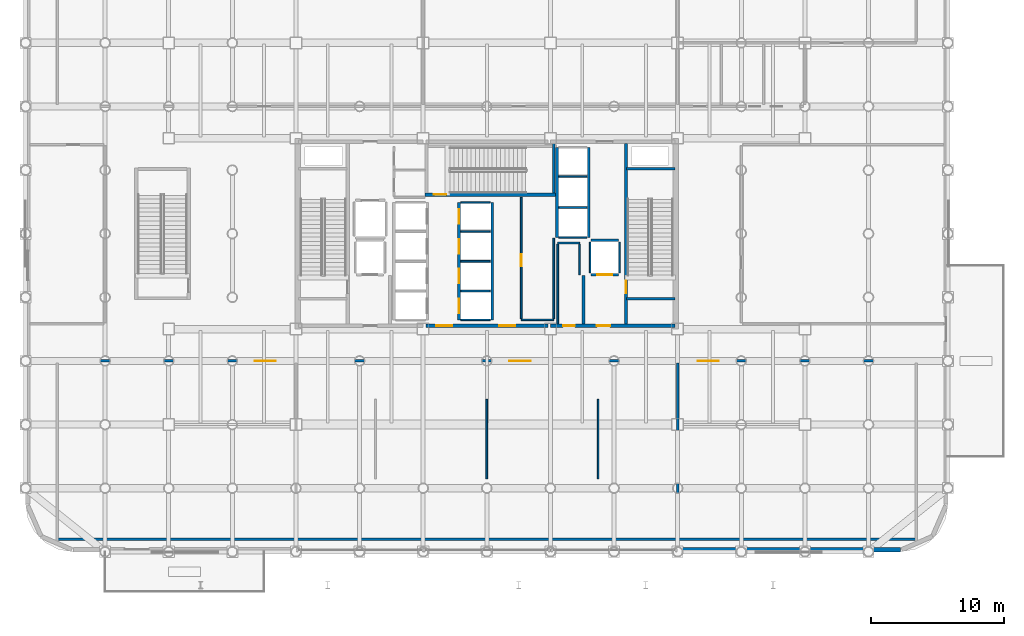
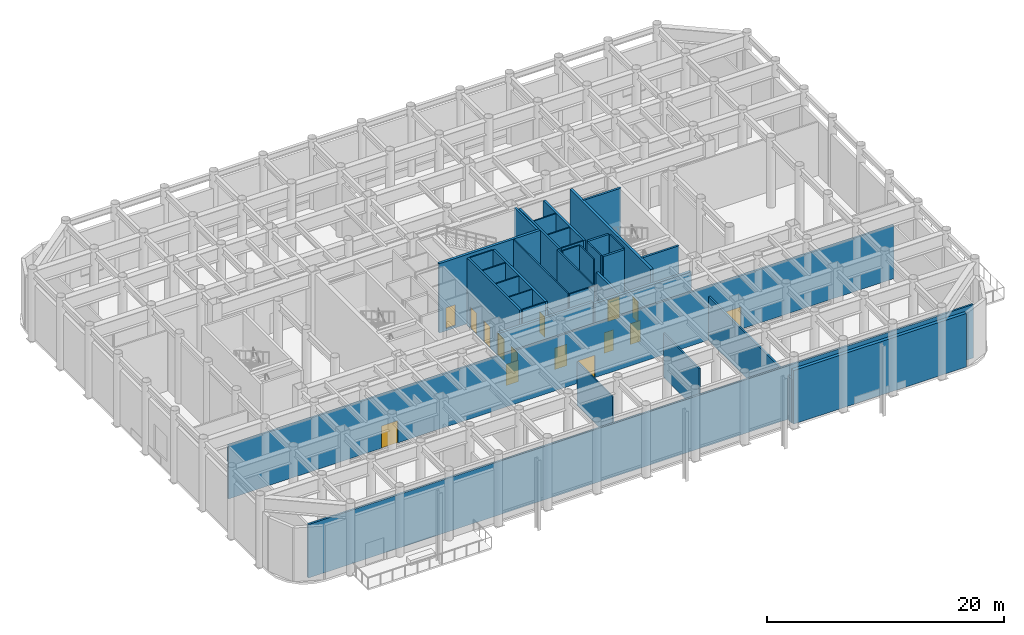
# One storey, part 15 of 23: 36 walls, 15 doors, 15 openings.
"""IFC4 building model written with IfcOpenShell, lengths in metres."""

import ifcopenshell
import ifcopenshell.guid

model = None  # the IFC model being written
_history = None  # IfcOwnerHistory: only IFC2X3 demands one
_inside = {}  # id of a spatial element -> (the spatial element, [elements in it])
_under = {}  # id of a project, library or spatial element -> (it, [spatial elements below it])
_declared = {}  # id of a project -> (the project, [libraries it declares])
_typed = {}  # id of a type object -> (the type object, [elements of that type])
_made_of = {}  # id of a material, layer set ... -> (it, [elements and type objects made of it])


def new_model(schema):
    """Start an empty IFC model of exactly this schema.

    Asked for "IFC4X3", IfcOpenShell would pick the latest addendum, in which some entities
    have other attributes; the version numbers below select the first issue.
    IFC2X3 requires an IfcOwnerHistory on every rooted entity: one is made here for all.
    """
    global model, _history
    if schema == "IFC4X3":
        model = ifcopenshell.file(schema_version=(4, 3, 0, 0))
    else:
        model = ifcopenshell.file(schema=schema)
    _inside.clear()
    _under.clear()
    _declared.clear()
    _typed.clear()
    _made_of.clear()
    _history = None
    if model.schema == "IFC2X3":
        org = make("IfcOrganization", Name="unknown")
        user = make(
            "IfcPersonAndOrganization",
            ThePerson=make("IfcPerson", FamilyName="unknown"),
            TheOrganization=org,
        )
        app = make(
            "IfcApplication",
            ApplicationDeveloper=org,
            Version="unknown",
            ApplicationFullName="unknown",
            ApplicationIdentifier="unknown",
        )
        _history = make(
            "IfcOwnerHistory",
            OwningUser=user,
            OwningApplication=app,
            ChangeAction="ADDED",
            CreationDate=0,
        )
    return model


def make(cls, **values):
    """One entity of the class cls with the attributes given. An attribute that is None is left unset."""
    return model.create_entity(
        cls, **{name: value for name, value in values.items() if value is not None}
    )


def rooted(cls, **values):
    """An entity with a GlobalId (a new one), such as an element, a storey or a relation."""
    return make(cls, GlobalId=ifcopenshell.guid.new(), OwnerHistory=_history, **values)


def si_unit(unit_type, name, prefix=None):
    """IfcSIUnit, for example si_unit("LENGTHUNIT", "METRE", prefix="MILLI")."""
    return make("IfcSIUnit", UnitType=unit_type, Prefix=prefix, Name=name)


def assignment(units):
    """IfcUnitAssignment: the units of a project."""
    return None if units is None else make("IfcUnitAssignment", Units=units)


def point(xyz):
    """IfcCartesianPoint."""
    return None if xyz is None else make("IfcCartesianPoint", Coordinates=xyz)


def direction(xyz):
    """IfcDirection."""
    return None if xyz is None else make("IfcDirection", DirectionRatios=xyz)


def frame(location, z_axis=None, x_axis=None):
    """IfcAxis2Placement3D, a coordinate frame: its origin and axes. An axis left out is left unset."""
    return make(
        "IfcAxis2Placement3D",
        Location=point(location),
        Axis=direction(z_axis),
        RefDirection=direction(x_axis),
    )


def frame_2d(location, x_axis=None):
    """IfcAxis2Placement2D, a coordinate frame in the plane: its origin and x axis."""
    return make(
        "IfcAxis2Placement2D", Location=point(location), RefDirection=direction(x_axis)
    )


def origin():
    """The frame at (0, 0, 0) with its axes left unset."""
    return frame((0.0, 0.0, 0.0))


def place(relative_to, where):
    """IfcLocalPlacement: puts the frame where relative to a parent placement (None: the world)."""
    return make(
        "IfcLocalPlacement", PlacementRelTo=relative_to, RelativePlacement=where
    )


def context(
    kind, dimensions, precision=None, world=None, true_north=None, identifier=None
):
    """IfcGeometricRepresentationContext, for example the 3D "Model" context."""
    return make(
        "IfcGeometricRepresentationContext",
        ContextIdentifier=identifier,
        ContextType=kind,
        CoordinateSpaceDimension=dimensions,
        Precision=precision,
        WorldCoordinateSystem=world,
        TrueNorth=true_north,
    )


def subcontext(parent, identifier, kind, view, scale=None):
    """IfcGeometricRepresentationSubContext, for example "Body" below "Model"."""
    return make(
        "IfcGeometricRepresentationSubContext",
        ContextIdentifier=identifier,
        ContextType=kind,
        ParentContext=parent,
        TargetScale=scale,
        TargetView=view,
    )


def project(units=None, contexts=None):
    """IfcProject with its units and contexts."""
    return rooted(
        "IfcProject",
        Name="project",
        RepresentationContexts=contexts,
        UnitsInContext=assignment(units),
    )


def spatial(cls, under=None, at=None, **own):
    """A site, building, storey or space (cls), placed at a placement, below another one or the project."""
    s = rooted(cls, ObjectPlacement=at, **own)
    if under is not None:
        _under.setdefault(under.id(), (under, []))[1].append(s)
    return s


def profile(cls, at=None, kind="AREA", **sizes):
    """A parametric profile (cls). Its sizes go by their IFC names, for example OverallWidth=200.0."""
    return make(cls, ProfileType=kind, Position=at, **sizes)


def rectangle(**sizes):
    """IfcRectangleProfileDef."""
    return profile("IfcRectangleProfileDef", **sizes)


def extrude(swept, where, along, depth):
    """IfcExtrudedAreaSolid: the profile swept, set in the frame where, extruded along a direction by depth."""
    return make(
        "IfcExtrudedAreaSolid",
        SweptArea=swept,
        Position=where,
        ExtrudedDirection=direction(along),
        Depth=depth,
    )


def shape(context_of_items, identifier, shape_type, items):
    """IfcShapeRepresentation: the items that make up one representation, for example the "Body"."""
    return make(
        "IfcShapeRepresentation",
        ContextOfItems=context_of_items,
        RepresentationIdentifier=identifier,
        RepresentationType=shape_type,
        Items=items,
    )


def material(Name=None, Category=None):
    """IfcMaterial."""
    return make("IfcMaterial", Name=Name, Category=Category)


def layer(
    of_material, thickness, ventilated=None, Name=None, Category=None, Priority=None
):
    """IfcMaterialLayer: one layer of a wall or slab, of a material (None: an air gap)."""
    return make(
        "IfcMaterialLayer",
        Material=of_material,
        LayerThickness=thickness,
        IsVentilated=ventilated,
        Name=Name,
        Category=Category,
        Priority=Priority,
    )


def layer_set(layers, Name=None):
    """IfcMaterialLayerSet."""
    return make("IfcMaterialLayerSet", MaterialLayers=layers, LayerSetName=Name)


def made_of(thing, what):
    """Note that an element or type object is made of a material, layer set ...; save() writes the relation."""
    if what is not None:
        _made_of.setdefault(what.id(), (what, []))[1].append(thing)
    return thing


def type_object(cls, material=None, **own):
    """A type object (cls), such as IfcWallType, which elements share."""
    return made_of(rooted(cls, **own), material)


def element(
    cls,
    number,
    at=None,
    inside=None,
    cuts=None,
    type_object=None,
    material=None,
    context=None,
    identifier="Body",
    shape_type=None,
    held_by="IfcProductDefinitionShape",
    body=None,
    shapes=None,
    **own,
):
    """One element of the class cls, such as IfcWall. Its Tag is "e" and its number.

    at: its placement. inside: the storey or other place that contains it. cuts: it is an
    opening in that element (IfcRelVoidsElement). A single representation is given by context,
    identifier, shape_type and body (its items); several are given by shapes. held_by: the class
    of the entity that holds the representations. save() writes the other relations.
    """
    e = rooted(cls, Tag="e%d" % number, ObjectPlacement=at, **own)
    if body is not None:
        shapes = [shape(context, identifier, shape_type, body)]
    if shapes is not None:
        e.Representation = make(held_by, Representations=shapes)
    if inside is not None:
        _inside.setdefault(inside.id(), (inside, []))[1].append(e)
    if cuts is not None:
        rooted(
            "IfcRelVoidsElement", RelatingBuildingElement=cuts, RelatedOpeningElement=e
        )
    if type_object is not None:
        _typed.setdefault(type_object.id(), (type_object, []))[1].append(e)
    return made_of(e, material)


def fill(opening, filler):
    """IfcRelFillsElement: the door or window that sits in an opening."""
    return rooted(
        "IfcRelFillsElement",
        RelatingOpeningElement=opening,
        RelatedBuildingElement=filler,
    )


def aggregate(whole, parts):
    """IfcRelAggregates: a whole, such as a stair, and the parts it consists of."""
    return rooted("IfcRelAggregates", RelatingObject=whole, RelatedObjects=parts)


def save(model, path):
    """Write the relations noted so far, then the file.

    IfcRelAggregates (storeys below a building ...), IfcRelContainedInSpatialStructure (elements
    in a storey), IfcRelDefinesByType, IfcRelAssociatesMaterial and IfcRelDeclares: one each for
    every whole, place, type object, material and project.
    """
    for whole, parts in _under.values():
        aggregate(whole, parts)
    for where, things in _inside.values():
        rooted(
            "IfcRelContainedInSpatialStructure",
            RelatedElements=things,
            RelatingStructure=where,
        )
    for kind, things in _typed.values():
        rooted("IfcRelDefinesByType", RelatedObjects=things, RelatingType=kind)
    for what, things in _made_of.values():
        rooted("IfcRelAssociatesMaterial", RelatedObjects=things, RelatingMaterial=what)
    for by, libraries in _declared.values():
        rooted("IfcRelDeclares", RelatingContext=by, RelatedDefinitions=libraries)
    model.write(path)


model = new_model("IFC4")

# Units and contexts
model_context = context("Model", 3, precision=1e-05, world=origin(), true_north=direction((0.0, 1.0)))
body_context = subcontext(model_context, "Body", "Model", "MODEL_VIEW")
ifc_project = project(units=[si_unit("LENGTHUNIT", "METRE"), si_unit("AREAUNIT", "SQUARE_METRE"), si_unit("VOLUMEUNIT", "CUBIC_METRE"), si_unit("PLANEANGLEUNIT", "RADIAN"), si_unit("MASSUNIT", "GRAM", prefix="KILO")], contexts=[model_context])

# Site, building, storey
site_placement = place(None, origin())
site = spatial("IfcSite", under=ifc_project, at=site_placement, CompositionType="ELEMENT")
building_placement = place(site_placement, origin())
building = spatial("IfcBuilding", under=site, at=building_placement, Name="Kallvorn Hotel Tower", CompositionType="ELEMENT")
storey_placement = place(building_placement, frame((0.0, 0.0, 12.0)))
storey = spatial("IfcBuildingStorey", under=building, at=storey_placement, Name="L02", CompositionType="ELEMENT", Elevation=12.0)

# Wall
ifc_material_1 = material(Name="Fire-rated double-layer acoustic gypsum drywall EI 60")
ifc_layer_1 = layer(ifc_material_1, 0.179931640625)
ifc_layer_set_1 = layer_set([ifc_layer_1], Name="WL_CORR_180")
wall_type_1 = type_object("IfcWallType", Name="WL_CORR_180", PredefinedType="PARTITIONING", material=ifc_layer_set_1)
wall_1_placement = place(storey_placement, frame((-32.39990234375, -23.050048828125, 0.0), z_axis=(0.0, 0.0, 1.0), x_axis=(1.0, 0.0, 0.0)))
element("IfcWall", 1, at=wall_1_placement, inside=storey, type_object=wall_type_1, Name="L02 Ballroom Pre-Function Foyer West Partition", PredefinedType="PARTITIONING", context=body_context, shape_type="SweptSolid", body=[
    extrude(rectangle(XDim=64.7998046875, YDim=0.179931640625, at=frame_2d((32.39990234375, 0.0))), origin(), (0.0, 0.0, 1.0), 5.52001953125),
])

# Wall, openings, doors
wall_2_placement = place(storey_placement, frame((-32.39990234375, -9.60009765625, 0.0), z_axis=(0.0, 0.0, 1.0), x_axis=(1.0, 0.0, 0.0)))
wall_2 = element("IfcWall", 2, at=wall_2_placement, inside=storey, type_object=wall_type_1, Name="L02 Ballroom Pre-Function Foyer West Partition", PredefinedType="PARTITIONING", context=body_context, shape_type="SweptSolid", body=[
    extrude(rectangle(XDim=64.7998046875, YDim=0.179931640625, at=frame_2d((32.39990234375, 0.0))), origin(), (0.0, 0.0, 1.0), 5.52001953125),
])
opening_1_placement = place(wall_2_placement, frame((34.09814453125, 0.0, 0.0)))
opening_1 = element("IfcOpeningElement", 3, at=opening_1_placement, cuts=wall_2, Name="Opening HD1", PredefinedType="OPENING", context=body_context, shape_type="SweptSolid", body=[
    extrude(rectangle(XDim=1.60009765625, YDim=2.300048828125, at=frame_2d((0.800048828125, 1.14990234375))), frame((0.0, 0.104736328125, 0.0), z_axis=(0.0, -1.0, 0.0), x_axis=(1.0, 0.0, 0.0)), (0.0, 0.0, 1.0), 0.2099609375),
])
opening_2_placement = place(wall_2_placement, frame((14.892333984375, 0.0, 0.0)))
opening_2 = element("IfcOpeningElement", 4, at=opening_2_placement, cuts=wall_2, Name="Opening HD1", PredefinedType="OPENING", context=body_context, shape_type="SweptSolid", body=[
    extrude(rectangle(XDim=1.60009765625, YDim=2.300048828125, at=frame_2d((0.800048828125, 1.14990234375))), frame((0.0, 0.104736328125, 0.0), z_axis=(0.0, -1.0, 0.0), x_axis=(1.0, 0.0, 0.0)), (0.0, 0.0, 1.0), 0.2099609375),
])
opening_3_placement = place(wall_2_placement, frame((48.3076171875, 0.0, 0.0)))
opening_3 = element("IfcOpeningElement", 5, at=opening_3_placement, cuts=wall_2, Name="Opening HD1", PredefinedType="OPENING", context=body_context, shape_type="SweptSolid", body=[
    extrude(rectangle(XDim=1.60009765625, YDim=2.300048828125, at=frame_2d((0.800048828125, 1.14990234375))), frame((0.0, 0.104736328125, 0.0), z_axis=(0.0, -1.0, 0.0), x_axis=(1.0, 0.0, 0.0)), (0.0, 0.0, 1.0), 0.2099609375),
])
ifc_material_2 = material(Name="Solid-core walnut veneer fire-rated timber door leaf", Category="wood")
door_type_1 = type_object("IfcDoorType", Name="DR_HALL_1600x2300", OperationType="DOUBLE_DOOR_SINGLE_SWING", PredefinedType="DOOR", material=ifc_material_2)
door_1_placement = place(opening_1_placement, origin())
door_1 = element("IfcDoor", 6, at=door_1_placement, inside=storey, type_object=door_type_1, Name="L02 Column-Free Grand Ballroom Door", OperationType="DOUBLE_DOOR_SINGLE_SWING", OverallHeight=2.300048828125, OverallWidth=1.60009765625, PredefinedType="DOOR", context=body_context, shape_type="SweptSolid", body=[
    extrude(rectangle(XDim=1.60009765625, YDim=2.300048828125, at=frame_2d((0.800048828125, 1.14990234375))), frame((0.0, 0.02490234375, 0.0), z_axis=(0.0, -1.0, 0.0), x_axis=(1.0, 0.0, 0.0)), (0.0, 0.0, 1.0), 0.050048828125),
])
fill(opening_1, door_1)
door_2_placement = place(opening_2_placement, origin())
door_2 = element("IfcDoor", 7, at=door_2_placement, inside=storey, type_object=door_type_1, Name="L02 Ballroom Pre-Function Foyer West Door", OperationType="DOUBLE_DOOR_SINGLE_SWING", OverallHeight=2.300048828125, OverallWidth=1.60009765625, PredefinedType="DOOR", context=body_context, shape_type="SweptSolid", body=[
    extrude(rectangle(XDim=1.60009765625, YDim=2.300048828125, at=frame_2d((0.800048828125, 1.14990234375))), frame((0.0, 0.02490234375, 0.0), z_axis=(0.0, -1.0, 0.0), x_axis=(1.0, 0.0, 0.0)), (0.0, 0.0, 1.0), 0.050048828125),
])
fill(opening_2, door_2)
door_3_placement = place(opening_3_placement, origin())
door_3 = element("IfcDoor", 8, at=door_3_placement, inside=storey, type_object=door_type_1, Name="L02 Cascade Terrace Banquet Salon East Door", OperationType="DOUBLE_DOOR_SINGLE_SWING", OverallHeight=2.300048828125, OverallWidth=1.60009765625, PredefinedType="DOOR", context=body_context, shape_type="SweptSolid", body=[
    extrude(rectangle(XDim=1.60009765625, YDim=2.300048828125, at=frame_2d((0.800048828125, 1.14990234375))), frame((0.0, 0.02490234375, 0.0), z_axis=(0.0, -1.0, 0.0), x_axis=(1.0, 0.0, 0.0)), (0.0, 0.0, 1.0), 0.050048828125),
])
fill(opening_3, door_3)

# Walls
wall_3_placement = place(storey_placement, frame((14.39990234375, -23.7548828125, 0.0), z_axis=(0.0, 0.0, 1.0), x_axis=(0.0, 1.0, 0.0)))
element("IfcWall", 9, at=wall_3_placement, inside=storey, type_object=wall_type_1, Name="L02 Column-Free Grand Ballroom Partition", PredefinedType="PARTITIONING", context=body_context, shape_type="SweptSolid", body=[
    extrude(rectangle(XDim=14.0048828125, YDim=0.179931640625, at=frame_2d((7.00244140625, 0.0))), origin(), (0.0, 0.0, 1.0), 4.52001953125),
])
ifc_material_3 = material(Name="Precast basalt-clad insulated concrete wall C40/50", Category="masonry")
ifc_layer_2 = layer(ifc_material_3, 0.320068359375)
ifc_layer_set_2 = layer_set([ifc_layer_2], Name="WL_EXT_BAY_320")
wall_type_2 = type_object("IfcWallType", Name="WL_EXT_BAY_320", PredefinedType="SOLIDWALL", material=ifc_layer_set_2)
wall_4_placement = place(storey_placement, frame((31.199951171875, -23.840087890625, 0.0), z_axis=(0.0, 0.0, 1.0), x_axis=(-1.0, 0.0, 0.0)))
element("IfcWall", 10, at=wall_4_placement, inside=storey, type_object=wall_type_2, Name="L02 Podium Exterior Wall EW-L02-SE", PredefinedType="SOLIDWALL", context=body_context, shape_type="SweptSolid", body=[
    extrude(rectangle(XDim=16.849853515625, YDim=0.320068359375, at=frame_2d((8.4248046875, 0.0))), origin(), (0.0, 0.0, 1.0), 5.52001953125),
])
ifc_material_4 = material(Name="Concrete C40/50", Category="concrete")
ifc_layer_3 = layer(ifc_material_4, 0.219970703125)
ifc_layer_set_3 = layer_set([ifc_layer_3], Name="WL_FFL_220")
wall_type_3 = type_object("IfcWallType", Name="WL_FFL_220", PredefinedType="SOLIDWALL", material=ifc_layer_set_3)
wall_5_placement = place(storey_placement, frame((7.300048828125, -6.820068359375, 0.0), z_axis=(0.0, 0.0, 1.0), x_axis=(0.0, 1.0, 0.0)))
element("IfcWall", 11, at=wall_5_placement, inside=storey, type_object=wall_type_3, Name="L02 Firefighting Lobby East Divider Wall", PredefinedType="SOLIDWALL", context=body_context, shape_type="SweptSolid", body=[
    extrude(rectangle(XDim=3.670166015625, YDim=0.219970703125, at=frame_2d((1.8349609375, 0.0))), origin(), (0.0, 0.0, 1.0), 5.52001953125),
])
ifc_material_5 = material(Name="Concrete C40/50", Category="concrete")
ifc_layer_4 = layer(ifc_material_5, 0.199951171875)
ifc_layer_set_4 = layer_set([ifc_layer_4], Name="WL_HOIST_200")
wall_type_4 = type_object("IfcWallType", Name="WL_HOIST_200", PredefinedType="SOLIDWALL", material=ifc_layer_set_4)
for number, where, z_axis, x_axis, name in (
    (12, (10.550048828125, -4.89990234375, -0.219970703125), (0.0, 0.0, 1.0), (1.0, 0.0, 0.0), "L02 Stair ST2 South Wall"),
    (13, (10.550048828125, 4.89990234375, -0.219970703125), (0.0, 0.0, 1.0), (1.0, 0.0, 0.0), "L02 Stair ST2 North Wall"),
):
    element("IfcWall", number, at=place(storey_placement, frame(where, z_axis=z_axis, x_axis=x_axis)), inside=storey, type_object=wall_type_4, Name=name, PredefinedType="SOLIDWALL", context=body_context, shape_type="SweptSolid", body=[
        extrude(rectangle(XDim=3.64990234375, YDim=0.199951171875, at=frame_2d((1.824951171875, 0.0))), origin(), (0.0, 0.0, 1.0), 7.139892578125),
    ])
wall_6_placement = place(storey_placement, frame((5.06005859375, 3.080078125, -0.219970703125), z_axis=(0.0, 0.0, 1.0), x_axis=(0.0, 1.0, 0.0)))
element("IfcWall", 14, at=wall_6_placement, inside=storey, type_object=wall_type_4, Name="L02 Stair ST3 East Wall", PredefinedType="SOLIDWALL", context=body_context, shape_type="SweptSolid", body=[
    extrude(rectangle(XDim=3.739990234375, YDim=0.199951171875, at=frame_2d((1.8701171875, 0.0))), origin(), (0.0, 0.0, 1.0), 7.139892578125),
])

# Wall, openings, doors
wall_7_placement = place(storey_placement, frame((-2.10009765625, -6.5, 0.0), z_axis=(0.0, 0.0, 1.0), x_axis=(0.0, 1.0, 0.0)))
wall_7 = element("IfcWall", 15, at=wall_7_placement, inside=storey, type_object=wall_type_4, Name="L02 Lift Bank B2 Landing Wall", PredefinedType="SOLIDWALL", context=body_context, shape_type="SweptSolid", body=[
    extrude(rectangle(XDim=8.85009765625, YDim=0.199951171875, at=frame_2d((4.425048828125, 0.0))), origin(), (0.0, 0.0, 1.0), 6.919921875),
])
opening_4_placement = place(wall_7_placement, frame((0.5, 0.0, 0.0)))
opening_4 = element("IfcOpeningElement", 16, at=opening_4_placement, cuts=wall_7, Name="Opening LD-PL-05", PredefinedType="OPENING", context=body_context, shape_type="SweptSolid", body=[
    extrude(rectangle(XDim=1.10009765625, YDim=2.199951171875, at=frame_2d((0.550048828125, 1.10009765625))), frame((0.0, 0.114990234375, 0.0), z_axis=(0.0, -1.0, 0.0), x_axis=(1.0, 0.0, 0.0)), (0.0, 0.0, 1.0), 0.22998046875),
])
opening_5_placement = place(wall_7_placement, frame((2.75, 0.0, 0.0)))
opening_5 = element("IfcOpeningElement", 17, at=opening_5_placement, cuts=wall_7, Name="Opening LD-PL-06", PredefinedType="OPENING", context=body_context, shape_type="SweptSolid", body=[
    extrude(rectangle(XDim=1.10009765625, YDim=2.199951171875, at=frame_2d((0.550048828125, 1.10009765625))), frame((0.0, 0.114990234375, 0.0), z_axis=(0.0, -1.0, 0.0), x_axis=(1.0, 0.0, 0.0)), (0.0, 0.0, 1.0), 0.22998046875),
])
opening_6_placement = place(wall_7_placement, frame((5.0, 0.0, 0.0)))
opening_6 = element("IfcOpeningElement", 18, at=opening_6_placement, cuts=wall_7, Name="Opening LD-PL-07", PredefinedType="OPENING", context=body_context, shape_type="SweptSolid", body=[
    extrude(rectangle(XDim=1.10009765625, YDim=2.199951171875, at=frame_2d((0.550048828125, 1.10009765625))), frame((0.0, 0.114990234375, 0.0), z_axis=(0.0, -1.0, 0.0), x_axis=(1.0, 0.0, 0.0)), (0.0, 0.0, 1.0), 0.22998046875),
])
opening_7_placement = place(wall_7_placement, frame((7.25, 0.0, 0.0)))
opening_7 = element("IfcOpeningElement", 19, at=opening_7_placement, cuts=wall_7, Name="Opening LD-PL-08", PredefinedType="OPENING", context=body_context, shape_type="SweptSolid", body=[
    extrude(rectangle(XDim=1.10009765625, YDim=2.199951171875, at=frame_2d((0.550048828125, 1.10009765625))), frame((0.0, 0.114990234375, 0.0), z_axis=(0.0, -1.0, 0.0), x_axis=(1.0, 0.0, 0.0)), (0.0, 0.0, 1.0), 0.22998046875),
])
ifc_material_6 = material(Name="Brushed stainless-steel automatic sliding lift landing door", Category="steel")
door_type_2 = type_object("IfcDoorType", Name="LD_PASS_1100x2200", OperationType="SLIDING_TO_LEFT", PredefinedType="DOOR", material=ifc_material_6)
door_4_placement = place(opening_4_placement, origin())
door_4 = element("IfcDoor", 20, at=door_4_placement, inside=storey, type_object=door_type_2, Name="L02 Lift Landing Sliding Door LD-PL-05", OperationType="SLIDING_TO_LEFT", OverallHeight=2.199951171875, OverallWidth=1.10009765625, PredefinedType="DOOR", context=body_context, shape_type="SweptSolid", body=[
    extrude(rectangle(XDim=1.10009765625, YDim=2.199951171875, at=frame_2d((0.550048828125, 1.10009765625))), frame((0.0, 0.02490234375, 0.0), z_axis=(0.0, -1.0, 0.0), x_axis=(1.0, 0.0, 0.0)), (0.0, 0.0, 1.0), 0.050048828125),
])
fill(opening_4, door_4)
door_5_placement = place(opening_5_placement, origin())
door_5 = element("IfcDoor", 21, at=door_5_placement, inside=storey, type_object=door_type_2, Name="L02 Lift Landing Sliding Door LD-PL-06", OperationType="SLIDING_TO_LEFT", OverallHeight=2.199951171875, OverallWidth=1.10009765625, PredefinedType="DOOR", context=body_context, shape_type="SweptSolid", body=[
    extrude(rectangle(XDim=1.10009765625, YDim=2.199951171875, at=frame_2d((0.550048828125, 1.10009765625))), frame((0.0, 0.02490234375, 0.0), z_axis=(0.0, -1.0, 0.0), x_axis=(1.0, 0.0, 0.0)), (0.0, 0.0, 1.0), 0.050048828125),
])
fill(opening_5, door_5)
door_6_placement = place(opening_6_placement, origin())
door_6 = element("IfcDoor", 22, at=door_6_placement, inside=storey, type_object=door_type_2, Name="L02 Lift Landing Sliding Door LD-PL-07", OperationType="SLIDING_TO_LEFT", OverallHeight=2.199951171875, OverallWidth=1.10009765625, PredefinedType="DOOR", context=body_context, shape_type="SweptSolid", body=[
    extrude(rectangle(XDim=1.10009765625, YDim=2.199951171875, at=frame_2d((0.550048828125, 1.10009765625))), frame((0.0, 0.02490234375, 0.0), z_axis=(0.0, -1.0, 0.0), x_axis=(1.0, 0.0, 0.0)), (0.0, 0.0, 1.0), 0.050048828125),
])
fill(opening_6, door_6)
door_7_placement = place(opening_7_placement, origin())
door_7 = element("IfcDoor", 23, at=door_7_placement, inside=storey, type_object=door_type_2, Name="L02 Lift Landing Sliding Door LD-PL-08", OperationType="SLIDING_TO_LEFT", OverallHeight=2.199951171875, OverallWidth=1.10009765625, PredefinedType="DOOR", context=body_context, shape_type="SweptSolid", body=[
    extrude(rectangle(XDim=1.10009765625, YDim=2.199951171875, at=frame_2d((0.550048828125, 1.10009765625))), frame((0.0, 0.02490234375, 0.0), z_axis=(0.0, -1.0, 0.0), x_axis=(1.0, 0.0, 0.0)), (0.0, 0.0, 1.0), 0.050048828125),
])
fill(opening_7, door_7)

# Walls
wall_8_placement = place(storey_placement, frame((0.39990234375, -6.5, 0.0), z_axis=(0.0, 0.0, 1.0), x_axis=(0.0, 1.0, 0.0)))
element("IfcWall", 24, at=wall_8_placement, inside=storey, type_object=wall_type_4, Name="L02 Lift Bank B2 Rear Shaft Wall", PredefinedType="SOLIDWALL", context=body_context, shape_type="SweptSolid", body=[
    extrude(rectangle(XDim=8.85009765625, YDim=0.199951171875, at=frame_2d((4.425048828125, 0.0))), origin(), (0.0, 0.0, 1.0), 6.919921875),
])
for number, where, z_axis, x_axis, name in (
    (25, (7.699951171875, -0.300048828125, 0.0), (0.0, 0.0, 1.0), (0.0, 1.0, 0.0), "L02 Lift Bank OBS Landing Wall"),
    (26, (5.300048828125, -0.300048828125, 0.0), (0.0, 0.0, 1.0), (0.0, 1.0, 0.0), "L02 Lift Bank OBS Rear Shaft Wall"),
):
    element("IfcWall", number, at=place(storey_placement, frame(where, z_axis=z_axis, x_axis=x_axis)), inside=storey, type_object=wall_type_4, Name=name, PredefinedType="SOLIDWALL", context=body_context, shape_type="SweptSolid", body=[
        extrude(rectangle(XDim=6.800048828125, YDim=0.199951171875, at=frame_2d((3.39990234375, 0.0))), origin(), (0.0, 0.0, 1.0), 6.919921875),
    ])

# Wall, opening, door
wall_9_placement = place(storey_placement, frame((7.8798828125, -3.10009765625, 0.0), z_axis=(0.0, 0.0, 1.0), x_axis=(1.0, 0.0, 0.0)))
wall_9 = element("IfcWall", 27, at=wall_9_placement, inside=storey, type_object=wall_type_4, Name="L02 FL-2 Landing Wall", PredefinedType="SOLIDWALL", context=body_context, shape_type="SweptSolid", body=[
    extrude(rectangle(XDim=2.0400390625, YDim=0.199951171875, at=frame_2d((1.02001953125, 0.0))), origin(), (0.0, 0.0, 1.0), 6.919921875),
])
opening_8_placement = place(wall_9_placement, frame((0.469970703125, 0.0, 0.0)))
opening_8 = element("IfcOpeningElement", 28, at=opening_8_placement, cuts=wall_9, Name="Opening LD-FL-2", PredefinedType="OPENING", context=body_context, shape_type="SweptSolid", body=[
    extrude(rectangle(XDim=1.10009765625, YDim=2.199951171875, at=frame_2d((0.550048828125, 1.10009765625))), frame((0.0, 0.114990234375, 0.0), z_axis=(0.0, -1.0, 0.0), x_axis=(1.0, 0.0, 0.0)), (0.0, 0.0, 1.0), 0.22998046875),
])
door_8_placement = place(opening_8_placement, origin())
door_8 = element("IfcDoor", 29, at=door_8_placement, inside=storey, type_object=door_type_2, Name="L02 Lift Landing Sliding Door LD-FL-2", OperationType="SLIDING_TO_LEFT", OverallHeight=2.199951171875, OverallWidth=1.10009765625, PredefinedType="DOOR", context=body_context, shape_type="SweptSolid", body=[
    extrude(rectangle(XDim=1.10009765625, YDim=2.199951171875, at=frame_2d((0.550048828125, 1.10009765625))), frame((0.0, 0.02490234375, 0.0), z_axis=(0.0, -1.0, 0.0), x_axis=(1.0, 0.0, 0.0)), (0.0, 0.0, 1.0), 0.050048828125),
])
fill(opening_8, door_8)

# Walls
wall_10_placement = place(storey_placement, frame((7.8798828125, -0.5, 0.0), z_axis=(0.0, 0.0, 1.0), x_axis=(1.0, 0.0, 0.0)))
element("IfcWall", 30, at=wall_10_placement, inside=storey, type_object=wall_type_4, Name="L02 FL-2 Rear Shaft Wall", PredefinedType="SOLIDWALL", context=body_context, shape_type="SweptSolid", body=[
    extrude(rectangle(XDim=2.0400390625, YDim=0.199951171875, at=frame_2d((1.02001953125, 0.0))), origin(), (0.0, 0.0, 1.0), 6.919921875),
])
ifc_material_7 = material(Name="Fire-rated double-layer acoustic gypsum drywall EI 60")
ifc_layer_5 = layer(ifc_material_7, 0.1201171875)
ifc_layer_set_5 = layer_set([ifc_layer_5], Name="WL_INT_120")
wall_type_5 = type_object("IfcWallType", Name="WL_INT_120", PredefinedType="PARTITIONING", material=ifc_layer_set_5)
for number, where, z_axis, x_axis, name in (
    (31, (-1.9599609375, -6.5, 0.0), (0.0, 0.0, 1.0), (1.0, 0.0, 0.0), "L02 Lift Bank B2 South Closure Wall"),
    (32, (-1.9599609375, -4.324951171875, 0.0), (0.0, 0.0, 1.0), (1.0, 0.0, 0.0), "L02 PL-05 Hoistway Divider"),
    (33, (-1.9599609375, -2.074951171875, 0.0), (0.0, 0.0, 1.0), (1.0, 0.0, 0.0), "L02 PL-06 Hoistway Divider"),
    (34, (-1.9599609375, 0.175048828125, 0.0), (0.0, 0.0, 1.0), (1.0, 0.0, 0.0), "L02 PL-07 Hoistway Divider"),
    (35, (-1.9599609375, 2.35009765625, 0.0), (0.0, 0.0, 1.0), (1.0, 0.0, 0.0), "L02 PL-08 Hoistway Divider"),
):
    element("IfcWall", number, at=place(storey_placement, frame(where, z_axis=z_axis, x_axis=x_axis)), inside=storey, type_object=wall_type_5, Name=name, PredefinedType="PARTITIONING", context=body_context, shape_type="SweptSolid", body=[
        extrude(rectangle(XDim=2.219970703125, YDim=0.1201171875, at=frame_2d((1.10986328125, 0.0))), origin(), (0.0, 0.0, 1.0), 6.919921875),
    ])
for number, where, z_axis, x_axis, name in (
    (36, (5.43994140625, -0.300048828125, 0.0), (0.0, 0.0, 1.0), (1.0, 0.0, 0.0), "L02 Lift Bank OBS South Closure Wall"),
    (37, (5.43994140625, 1.97509765625, 0.0), (0.0, 0.0, 1.0), (1.0, 0.0, 0.0), "L02 OB-01 Hoistway Divider"),
    (38, (5.43994140625, 4.324951171875, 0.0), (0.0, 0.0, 1.0), (1.0, 0.0, 0.0), "L02 OB-02 Hoistway Divider"),
):
    element("IfcWall", number, at=place(storey_placement, frame(where, z_axis=z_axis, x_axis=x_axis)), inside=storey, type_object=wall_type_5, Name=name, PredefinedType="PARTITIONING", context=body_context, shape_type="SweptSolid", body=[
        extrude(rectangle(XDim=2.1201171875, YDim=0.1201171875, at=frame_2d((1.06005859375, 0.0))), origin(), (0.0, 0.0, 1.0), 6.919921875),
    ])
for number, where, z_axis, x_axis, name in (
    (39, (7.800048828125, -2.9599609375, 0.0), (0.0, 0.0, 1.0), (0.0, 1.0, 0.0), "L02 FL-2 West Shaft Wall"),
    (40, (10.0, -2.9599609375, 0.0), (0.0, 0.0, 1.0), (0.0, 1.0, 0.0), "L02 FL-2 East Shaft Wall"),
):
    element("IfcWall", number, at=place(storey_placement, frame(where, z_axis=z_axis, x_axis=x_axis)), inside=storey, type_object=wall_type_5, Name=name, PredefinedType="PARTITIONING", context=body_context, shape_type="SweptSolid", body=[
        extrude(rectangle(XDim=2.320068359375, YDim=0.1201171875, at=frame_2d((1.16015625, 0.0))), origin(), (0.0, 0.0, 1.0), 6.919921875),
    ])
wall_11_placement = place(storey_placement, frame((2.60009765625, -6.5, 0.0), z_axis=(0.0, 0.0, 1.0), x_axis=(1.0, 0.0, 0.0)))
element("IfcWall", 41, at=wall_11_placement, inside=storey, type_object=wall_type_5, Name="L02 East Core Consolidated Linen and Supply Store Partition", PredefinedType="PARTITIONING", context=body_context, shape_type="SweptSolid", body=[
    extrude(rectangle(XDim=2.449951171875, YDim=0.1201171875, at=frame_2d((1.22509765625, 0.0))), origin(), (0.0, 0.0, 1.0), 6.919921875),
])
wall_12_placement = place(storey_placement, frame((5.35009765625, -0.699951171875, 0.0), z_axis=(0.0, 0.0, 1.0), x_axis=(1.0, 0.0, 0.0)))
element("IfcWall", 42, at=wall_12_placement, inside=storey, type_object=wall_type_5, Name="L02 Core Utility and Meter Room Partition", PredefinedType="PARTITIONING", context=body_context, shape_type="SweptSolid", body=[
    extrude(rectangle(XDim=1.64990234375, YDim=0.1201171875, at=frame_2d((0.824951171875, 0.0))), origin(), (0.0, 0.0, 1.0), 6.919921875),
])

# Wall, opening, door
wall_13_placement = place(storey_placement, frame((2.60009765625, -6.4150390625, 0.0), z_axis=(0.0, 0.0, 1.0), x_axis=(0.0, 1.0, 0.0)))
wall_13 = element("IfcWall", 43, at=wall_13_placement, inside=storey, type_object=wall_type_5, Name="L02 East Core Consolidated Linen and Supply Store Partition", PredefinedType="PARTITIONING", context=body_context, shape_type="SweptSolid", body=[
    extrude(rectangle(XDim=9.1650390625, YDim=0.1201171875, at=frame_2d((4.58251953125, 0.0))), origin(), (0.0, 0.0, 1.0), 6.919921875),
])
opening_9_placement = place(wall_13_placement, frame((3.965087890625, 0.0, 0.0)))
opening_9 = element("IfcOpeningElement", 44, at=opening_9_placement, cuts=wall_13, Name="Opening SVD1", PredefinedType="OPENING", context=body_context, shape_type="SweptSolid", body=[
    extrude(rectangle(XDim=0.89990234375, YDim=2.10009765625, at=frame_2d((0.449951171875, 1.050048828125))), frame((0.0, 0.074951171875, 0.0), z_axis=(0.0, -1.0, 0.0), x_axis=(1.0, 0.0, 0.0)), (0.0, 0.0, 1.0), 0.150146484375),
])
ifc_material_8 = material(Name="Galvanised painted steel fire-rated door assembly", Category="steel")
door_type_3 = type_object("IfcDoorType", Name="DR_SERV_900x2100", OperationType="NOTDEFINED", PredefinedType="DOOR", material=ifc_material_8)
door_9_placement = place(opening_9_placement, origin())
door_9 = element("IfcDoor", 45, at=door_9_placement, inside=storey, type_object=door_type_3, Name="L02 East Core Consolidated Linen and Supply Store Door", OperationType="SINGLE_SWING_LEFT", OverallHeight=2.10009765625, OverallWidth=0.89990234375, PredefinedType="DOOR", context=body_context, shape_type="SweptSolid", body=[
    extrude(rectangle(XDim=0.89990234375, YDim=2.10009765625, at=frame_2d((0.449951171875, 1.050048828125))), frame((0.0, 0.02490234375, 0.0), z_axis=(0.0, -1.0, 0.0), x_axis=(1.0, 0.0, 0.0)), (0.0, 0.0, 1.0), 0.050048828125),
])
fill(opening_9, door_9)

# Walls
wall_14_placement = place(storey_placement, frame((5.050048828125, -6.4150390625, 0.0), z_axis=(0.0, 0.0, 1.0), x_axis=(0.0, 1.0, 0.0)))
element("IfcWall", 46, at=wall_14_placement, inside=storey, type_object=wall_type_5, Name="L02 East Core Consolidated Linen and Supply Store Partition", PredefinedType="PARTITIONING", context=body_context, shape_type="SweptSolid", body=[
    extrude(rectangle(XDim=6.074951171875, YDim=0.1201171875, at=frame_2d((3.03759765625, 0.0))), origin(), (0.0, 0.0, 1.0), 6.919921875),
])
wall_15_placement = place(storey_placement, frame((5.35009765625, -6.800048828125, 0.0), z_axis=(0.0, 0.0, 1.0), x_axis=(0.0, 1.0, 0.0)))
element("IfcWall", 47, at=wall_15_placement, inside=storey, type_object=wall_type_5, Name="L02 Core Utility and Meter Room Partition", PredefinedType="PARTITIONING", context=body_context, shape_type="SweptSolid", body=[
    extrude(rectangle(XDim=6.01513671875, YDim=0.1201171875, at=frame_2d((3.007568359375, 0.0))), origin(), (0.0, 0.0, 1.0), 5.52001953125),
])
wall_16_placement = place(storey_placement, frame((7.0, -3.110107421875, 0.0), z_axis=(0.0, 0.0, 1.0), x_axis=(0.0, 1.0, 0.0)))
element("IfcWall", 48, at=wall_16_placement, inside=storey, type_object=wall_type_5, Name="L02 Core Utility and Meter Room Partition", PredefinedType="PARTITIONING", context=body_context, shape_type="SweptSolid", body=[
    extrude(rectangle(XDim=2.3251953125, YDim=0.1201171875, at=frame_2d((1.16259765625, 0.0))), origin(), (0.0, 0.0, 1.0), 6.919921875),
])
ifc_material_9 = material(Name="Motorised acoustic operable partition wall STC 54")
ifc_layer_6 = layer(ifc_material_9, 0.1298828125)
ifc_layer_set_6 = layer_set([ifc_layer_6], Name="WL_MOVABLE_130")
wall_type_6 = type_object("IfcWallType", Name="WL_MOVABLE_130", PredefinedType="MOVABLE", material=ifc_layer_set_6)
for number, where, z_axis, x_axis, name in (
    (49, (0.0, -18.5, 0.0), (0.0, 0.0, 1.0), (0.0, 1.0, 0.0), "L02 Acoustic Operable Partition Wall 2"),
    (50, (8.39990234375, -18.5, 0.0), (0.0, 0.0, 1.0), (0.0, 1.0, 0.0), "L02 Acoustic Operable Partition Wall 3"),
):
    element("IfcWall", number, at=place(storey_placement, frame(where, z_axis=z_axis, x_axis=x_axis)), inside=storey, type_object=wall_type_6, Name=name, PredefinedType="MOVABLE", context=body_context, shape_type="SweptSolid", body=[
        extrude(rectangle(XDim=6.0, YDim=0.1298828125, at=frame_2d((3.0, 0.0))), origin(), (0.0, 0.0, 1.0), 4.52001953125),
    ])

# Wall, openings, doors
ifc_material_10 = material(Name="Concrete C40/50", Category="concrete")
ifc_layer_7 = layer(ifc_material_10, 0.25)
ifc_layer_set_7 = layer_set([ifc_layer_7], Name="WL_SHAFT_250")
wall_type_7 = type_object("IfcWallType", Name="WL_SHAFT_250", PredefinedType="SOLIDWALL", material=ifc_layer_set_7)
wall_17_placement = place(storey_placement, frame((-4.60009765625, -6.949951171875, 0.0), z_axis=(0.0, 0.0, 1.0), x_axis=(1.0, 0.0, 0.0)))
wall_17 = element("IfcWall", 51, at=wall_17_placement, inside=storey, type_object=wall_type_7, Name="L02 Core South-Central Wall", PredefinedType="SOLIDWALL", context=body_context, shape_type="SweptSolid", body=[
    extrude(rectangle(XDim=9.2001953125, YDim=0.25, at=frame_2d((4.60009765625, 0.0))), origin(), (0.0, 0.0, 1.0), 5.719970703125),
])
opening_10_placement = place(wall_17_placement, frame((0.800048828125, 0.0, 0.0)))
opening_10 = element("IfcOpeningElement", 52, at=opening_10_placement, cuts=wall_17, Name="Opening FD2", PredefinedType="OPENING", context=body_context, shape_type="SweptSolid", body=[
    extrude(rectangle(XDim=1.199951171875, YDim=2.199951171875, at=frame_2d((0.60009765625, 1.10009765625))), frame((0.0, 0.139892578125, 0.0), z_axis=(0.0, -1.0, 0.0), x_axis=(1.0, 0.0, 0.0)), (0.0, 0.0, 1.0), 0.280029296875),
])
opening_11_placement = place(wall_17_placement, frame((5.550048828125, 0.0, 0.0)))
opening_11 = element("IfcOpeningElement", 53, at=opening_11_placement, cuts=wall_17, Name="Opening FD2", PredefinedType="OPENING", context=body_context, shape_type="SweptSolid", body=[
    extrude(rectangle(XDim=1.199951171875, YDim=2.199951171875, at=frame_2d((0.60009765625, 1.10009765625))), frame((0.0, 0.139892578125, 0.0), z_axis=(0.0, -1.0, 0.0), x_axis=(1.0, 0.0, 0.0)), (0.0, 0.0, 1.0), 0.280029296875),
])
ifc_material_11 = material(Name="Galvanised painted steel fire-rated door assembly", Category="steel")
door_type_4 = type_object("IfcDoorType", Name="DR_LOBBY_1200x2200", OperationType="DOUBLE_DOOR_SINGLE_SWING", PredefinedType="DOOR", material=ifc_material_11)
door_10_placement = place(opening_10_placement, origin())
door_10 = element("IfcDoor", 54, at=door_10_placement, inside=storey, type_object=door_type_4, Name="L02 West Passenger Lift Lobby Door", OperationType="DOUBLE_DOOR_SINGLE_SWING", OverallHeight=2.199951171875, OverallWidth=1.199951171875, PredefinedType="DOOR", context=body_context, shape_type="SweptSolid", body=[
    extrude(rectangle(XDim=1.199951171875, YDim=2.199951171875, at=frame_2d((0.60009765625, 1.10009765625))), frame((0.0, 0.02490234375, 0.0), z_axis=(0.0, -1.0, 0.0), x_axis=(1.0, 0.0, 0.0)), (0.0, 0.0, 1.0), 0.050048828125),
])
fill(opening_10, door_10)
door_11_placement = place(opening_11_placement, origin())
door_11 = element("IfcDoor", 55, at=door_11_placement, inside=storey, type_object=door_type_4, Name="L02 East Passenger Lift Lobby Door", OperationType="DOUBLE_DOOR_SINGLE_SWING", OverallHeight=2.199951171875, OverallWidth=1.199951171875, PredefinedType="DOOR", context=body_context, shape_type="SweptSolid", body=[
    extrude(rectangle(XDim=1.199951171875, YDim=2.199951171875, at=frame_2d((0.60009765625, 1.10009765625))), frame((0.0, 0.02490234375, 0.0), z_axis=(0.0, -1.0, 0.0), x_axis=(1.0, 0.0, 0.0)), (0.0, 0.0, 1.0), 0.050048828125),
])
fill(opening_11, door_11)

wall_18_placement = place(storey_placement, frame((4.800048828125, -6.949951171875, 0.0), z_axis=(0.0, 0.0, 1.0), x_axis=(1.0, 0.0, 0.0)))
wall_18 = element("IfcWall", 56, at=wall_18_placement, inside=storey, type_object=wall_type_7, Name="L02 Core South-East Wall", PredefinedType="SOLIDWALL", context=body_context, shape_type="SweptSolid", body=[
    extrude(rectangle(XDim=9.39990234375, YDim=0.25, at=frame_2d((4.699951171875, 0.0))), origin(), (0.0, 0.0, 1.0), 5.52001953125),
])
opening_12_placement = place(wall_18_placement, frame((3.5, 0.0, 0.0)))
opening_12 = element("IfcOpeningElement", 57, at=opening_12_placement, cuts=wall_18, Name="Opening FD1", PredefinedType="OPENING", context=body_context, shape_type="SweptSolid", body=[
    extrude(rectangle(XDim=1.0, YDim=2.14990234375, at=frame_2d((0.5, 1.074951171875))), frame((0.0, 0.139892578125, 0.0), z_axis=(0.0, -1.0, 0.0), x_axis=(1.0, 0.0, 0.0)), (0.0, 0.0, 1.0), 0.280029296875),
])
opening_13_placement = place(wall_18_placement, frame((0.949951171875, 0.0, 0.0)))
opening_13 = element("IfcOpeningElement", 58, at=opening_13_placement, cuts=wall_18, Name="Opening SVD1", PredefinedType="OPENING", context=body_context, shape_type="SweptSolid", body=[
    extrude(rectangle(XDim=0.89990234375, YDim=2.10009765625, at=frame_2d((0.449951171875, 1.050048828125))), frame((0.0, 0.139892578125, 0.0), z_axis=(0.0, -1.0, 0.0), x_axis=(1.0, 0.0, 0.0)), (0.0, 0.0, 1.0), 0.280029296875),
])
ifc_material_12 = material(Name="Galvanised painted steel fire-rated door assembly", Category="steel")
door_type_5 = type_object("IfcDoorType", Name="DR_FFL_1000x2150", OperationType="NOTDEFINED", PredefinedType="DOOR", material=ifc_material_12)
door_12_placement = place(opening_12_placement, origin())
door_12 = element("IfcDoor", 59, at=door_12_placement, inside=storey, type_object=door_type_5, Name="L02 Firefighting Lobby East Door", OperationType="SINGLE_SWING_LEFT", OverallHeight=2.14990234375, OverallWidth=1.0, PredefinedType="DOOR", context=body_context, shape_type="SweptSolid", body=[
    extrude(rectangle(XDim=1.0, YDim=2.14990234375, at=frame_2d((0.5, 1.074951171875))), frame((0.0, 0.02490234375, 0.0), z_axis=(0.0, -1.0, 0.0), x_axis=(1.0, 0.0, 0.0)), (0.0, 0.0, 1.0), 0.050048828125),
])
fill(opening_12, door_12)
door_13_placement = place(opening_13_placement, origin())
door_13 = element("IfcDoor", 60, at=door_13_placement, inside=storey, type_object=door_type_3, Name="L02 Core Utility and Meter Room Door", OperationType="SINGLE_SWING_LEFT", OverallHeight=2.10009765625, OverallWidth=0.89990234375, PredefinedType="DOOR", context=body_context, shape_type="SweptSolid", body=[
    extrude(rectangle(XDim=0.89990234375, YDim=2.10009765625, at=frame_2d((0.449951171875, 1.050048828125))), frame((0.0, 0.02490234375, 0.0), z_axis=(0.0, -1.0, 0.0), x_axis=(1.0, 0.0, 0.0)), (0.0, 0.0, 1.0), 0.050048828125),
])
fill(opening_13, door_13)

# Wall, opening, door
wall_19_placement = place(storey_placement, frame((10.5, -6.820068359375, -0.219970703125), z_axis=(0.0, 0.0, 1.0), x_axis=(0.0, 1.0, 0.0)))
wall_19 = element("IfcWall", 61, at=wall_19_placement, inside=storey, type_object=wall_type_7, Name="L02 Stair ST2 Shaft Wall", PredefinedType="SOLIDWALL", context=body_context, shape_type="SweptSolid", body=[
    extrude(rectangle(XDim=13.64013671875, YDim=0.25, at=frame_2d((6.820068359375, 0.0))), origin(), (0.0, 0.0, 1.0), 7.139892578125),
])
opening_14_placement = place(wall_19_placement, frame((2.320068359375, 0.0, 0.219970703125)))
opening_14 = element("IfcOpeningElement", 62, at=opening_14_placement, cuts=wall_19, Name="Opening SD1", PredefinedType="OPENING", context=body_context, shape_type="SweptSolid", body=[
    extrude(rectangle(XDim=0.949951171875, YDim=2.14990234375, at=frame_2d((0.47509765625, 1.074951171875))), frame((0.0, 0.139892578125, 0.0), z_axis=(0.0, -1.0, 0.0), x_axis=(1.0, 0.0, 0.0)), (0.0, 0.0, 1.0), 0.280029296875),
])
ifc_material_13 = material(Name="Galvanised painted steel fire-rated door assembly", Category="steel")
door_type_6 = type_object("IfcDoorType", Name="DR_STAIR_950x2150", OperationType="NOTDEFINED", PredefinedType="DOOR", material=ifc_material_13)
door_14_placement = place(opening_14_placement, origin())
door_14 = element("IfcDoor", 63, at=door_14_placement, inside=storey, type_object=door_type_6, Name="L02 Exit Stair ST2 Fire Door", OperationType="SINGLE_SWING_RIGHT", OverallHeight=2.14990234375, OverallWidth=0.949951171875, PredefinedType="DOOR", context=body_context, shape_type="SweptSolid", body=[
    extrude(rectangle(XDim=0.949951171875, YDim=2.14990234375, at=frame_2d((0.47509765625, 1.074951171875))), frame((0.0, 0.02490234375, 0.0), z_axis=(0.0, -1.0, 0.0), x_axis=(1.0, 0.0, 0.0)), (0.0, 0.0, 1.0), 0.050048828125),
])
fill(opening_14, door_14)

wall_20_placement = place(storey_placement, frame((-4.64990234375, 2.949951171875, -0.219970703125), z_axis=(0.0, 0.0, 1.0), x_axis=(1.0, 0.0, 0.0)))
wall_20 = element("IfcWall", 64, at=wall_20_placement, inside=storey, type_object=wall_type_7, Name="L02 Stair ST3 Shaft South Wall", PredefinedType="SOLIDWALL", context=body_context, shape_type="SweptSolid", body=[
    extrude(rectangle(XDim=9.89990234375, YDim=0.25, at=frame_2d((4.949951171875, 0.0))), origin(), (0.0, 0.0, 1.0), 7.139892578125),
])
opening_15_placement = place(wall_20_placement, frame((0.64990234375, 0.0, 0.219970703125)))
opening_15 = element("IfcOpeningElement", 65, at=opening_15_placement, cuts=wall_20, Name="Opening SD1", PredefinedType="OPENING", context=body_context, shape_type="SweptSolid", body=[
    extrude(rectangle(XDim=0.949951171875, YDim=2.14990234375, at=frame_2d((0.47509765625, 1.074951171875))), frame((0.0, 0.139892578125, 0.0), z_axis=(0.0, -1.0, 0.0), x_axis=(1.0, 0.0, 0.0)), (0.0, 0.0, 1.0), 0.280029296875),
])
door_15_placement = place(opening_15_placement, origin())
door_15 = element("IfcDoor", 66, at=door_15_placement, inside=storey, type_object=door_type_6, Name="L02 Exit Stair ST3 Fire Door", OperationType="SINGLE_SWING_RIGHT", OverallHeight=2.14990234375, OverallWidth=0.949951171875, PredefinedType="DOOR", context=body_context, shape_type="SweptSolid", body=[
    extrude(rectangle(XDim=0.949951171875, YDim=2.14990234375, at=frame_2d((0.47509765625, 1.074951171875))), frame((0.0, 0.02490234375, 0.0), z_axis=(0.0, -1.0, 0.0), x_axis=(1.0, 0.0, 0.0)), (0.0, 0.0, 1.0), 0.050048828125),
])
fill(opening_15, door_15)

save(model, "model.ifc")
